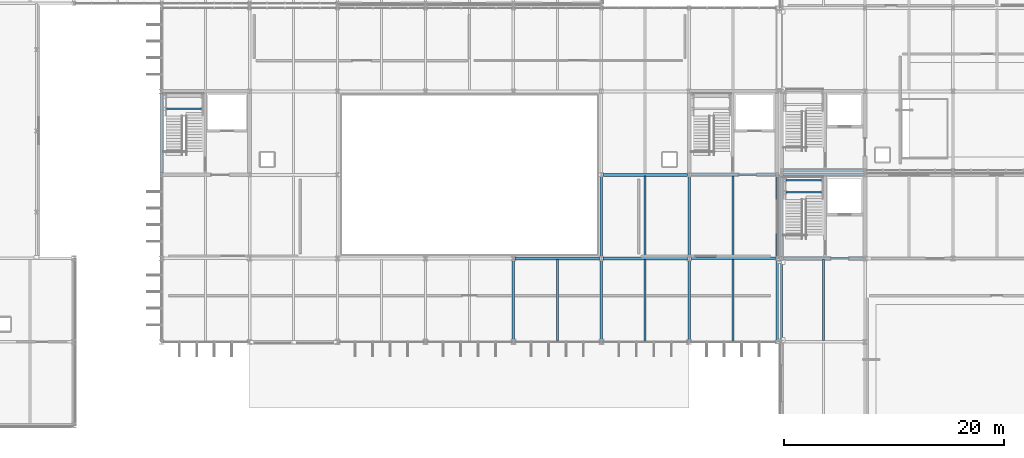
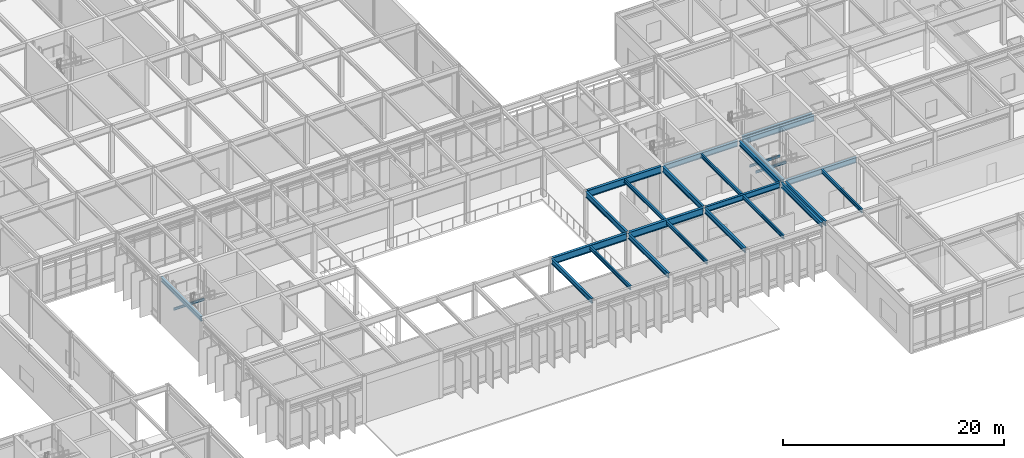
# One storey, part 40 of 94: 27 beams.
"""IFC4 building model written with IfcOpenShell, lengths in metres."""

import ifcopenshell
import ifcopenshell.guid

model = None  # the IFC model being written
_history = None  # IfcOwnerHistory: only IFC2X3 demands one
_inside = {}  # id of a spatial element -> (the spatial element, [elements in it])
_under = {}  # id of a project, library or spatial element -> (it, [spatial elements below it])
_declared = {}  # id of a project -> (the project, [libraries it declares])
_typed = {}  # id of a type object -> (the type object, [elements of that type])
_made_of = {}  # id of a material, layer set ... -> (it, [elements and type objects made of it])


def new_model(schema):
    """Start an empty IFC model of exactly this schema.

    Asked for "IFC4X3", IfcOpenShell would pick the latest addendum, in which some entities
    have other attributes; the version numbers below select the first issue.
    IFC2X3 requires an IfcOwnerHistory on every rooted entity: one is made here for all.
    """
    global model, _history
    if schema == "IFC4X3":
        model = ifcopenshell.file(schema_version=(4, 3, 0, 0))
    else:
        model = ifcopenshell.file(schema=schema)
    _inside.clear()
    _under.clear()
    _declared.clear()
    _typed.clear()
    _made_of.clear()
    _history = None
    if model.schema == "IFC2X3":
        org = make("IfcOrganization", Name="unknown")
        user = make(
            "IfcPersonAndOrganization",
            ThePerson=make("IfcPerson", FamilyName="unknown"),
            TheOrganization=org,
        )
        app = make(
            "IfcApplication",
            ApplicationDeveloper=org,
            Version="unknown",
            ApplicationFullName="unknown",
            ApplicationIdentifier="unknown",
        )
        _history = make(
            "IfcOwnerHistory",
            OwningUser=user,
            OwningApplication=app,
            ChangeAction="ADDED",
            CreationDate=0,
        )
    return model


def make(cls, **values):
    """One entity of the class cls with the attributes given. An attribute that is None is left unset."""
    return model.create_entity(
        cls, **{name: value for name, value in values.items() if value is not None}
    )


def rooted(cls, **values):
    """An entity with a GlobalId (a new one), such as an element, a storey or a relation."""
    return make(cls, GlobalId=ifcopenshell.guid.new(), OwnerHistory=_history, **values)


def si_unit(unit_type, name, prefix=None):
    """IfcSIUnit, for example si_unit("LENGTHUNIT", "METRE", prefix="MILLI")."""
    return make("IfcSIUnit", UnitType=unit_type, Prefix=prefix, Name=name)


def assignment(units):
    """IfcUnitAssignment: the units of a project."""
    return None if units is None else make("IfcUnitAssignment", Units=units)


def point(xyz):
    """IfcCartesianPoint."""
    return None if xyz is None else make("IfcCartesianPoint", Coordinates=xyz)


def direction(xyz):
    """IfcDirection."""
    return None if xyz is None else make("IfcDirection", DirectionRatios=xyz)


def frame(location, z_axis=None, x_axis=None):
    """IfcAxis2Placement3D, a coordinate frame: its origin and axes. An axis left out is left unset."""
    return make(
        "IfcAxis2Placement3D",
        Location=point(location),
        Axis=direction(z_axis),
        RefDirection=direction(x_axis),
    )


def frame_2d(location, x_axis=None):
    """IfcAxis2Placement2D, a coordinate frame in the plane: its origin and x axis."""
    return make(
        "IfcAxis2Placement2D", Location=point(location), RefDirection=direction(x_axis)
    )


def origin():
    """The frame at (0, 0, 0) with its axes left unset."""
    return frame((0.0, 0.0, 0.0))


def origin_2d():
    """The frame at (0, 0) in the plane with its x axis left unset."""
    return frame_2d((0.0, 0.0))


def place(relative_to, where):
    """IfcLocalPlacement: puts the frame where relative to a parent placement (None: the world)."""
    return make(
        "IfcLocalPlacement", PlacementRelTo=relative_to, RelativePlacement=where
    )


def context(
    kind, dimensions, precision=None, world=None, true_north=None, identifier=None
):
    """IfcGeometricRepresentationContext, for example the 3D "Model" context."""
    return make(
        "IfcGeometricRepresentationContext",
        ContextIdentifier=identifier,
        ContextType=kind,
        CoordinateSpaceDimension=dimensions,
        Precision=precision,
        WorldCoordinateSystem=world,
        TrueNorth=true_north,
    )


def subcontext(parent, identifier, kind, view, scale=None):
    """IfcGeometricRepresentationSubContext, for example "Body" below "Model"."""
    return make(
        "IfcGeometricRepresentationSubContext",
        ContextIdentifier=identifier,
        ContextType=kind,
        ParentContext=parent,
        TargetScale=scale,
        TargetView=view,
    )


def project(units=None, contexts=None):
    """IfcProject with its units and contexts."""
    return rooted(
        "IfcProject",
        Name="project",
        RepresentationContexts=contexts,
        UnitsInContext=assignment(units),
    )


def spatial(cls, under=None, at=None, **own):
    """A site, building, storey or space (cls), placed at a placement, below another one or the project."""
    s = rooted(cls, ObjectPlacement=at, **own)
    if under is not None:
        _under.setdefault(under.id(), (under, []))[1].append(s)
    return s


def profile(cls, at=None, kind="AREA", **sizes):
    """A parametric profile (cls). Its sizes go by their IFC names, for example OverallWidth=200.0."""
    return make(cls, ProfileType=kind, Position=at, **sizes)


def i_section(**sizes):
    """IfcIShapeProfileDef."""
    return profile("IfcIShapeProfileDef", **sizes)


def extrude(swept, where, along, depth):
    """IfcExtrudedAreaSolid: the profile swept, set in the frame where, extruded along a direction by depth."""
    return make(
        "IfcExtrudedAreaSolid",
        SweptArea=swept,
        Position=where,
        ExtrudedDirection=direction(along),
        Depth=depth,
    )


def shape(context_of_items, identifier, shape_type, items):
    """IfcShapeRepresentation: the items that make up one representation, for example the "Body"."""
    return make(
        "IfcShapeRepresentation",
        ContextOfItems=context_of_items,
        RepresentationIdentifier=identifier,
        RepresentationType=shape_type,
        Items=items,
    )


def material(Name=None, Category=None):
    """IfcMaterial."""
    return make("IfcMaterial", Name=Name, Category=Category)


def material_profile(
    of_material, cross_section, Name=None, Category=None, Priority=None
):
    """IfcMaterialProfile: a cross section and its material."""
    return make(
        "IfcMaterialProfile",
        Name=Name,
        Material=of_material,
        Profile=cross_section,
        Priority=Priority,
        Category=Category,
    )


def profile_set(profiles, Name=None, composite=None):
    """IfcMaterialProfileSet."""
    return make(
        "IfcMaterialProfileSet",
        Name=Name,
        MaterialProfiles=profiles,
        CompositeProfile=composite,
    )


def made_of(thing, what):
    """Note that an element or type object is made of a material, layer set ...; save() writes the relation."""
    if what is not None:
        _made_of.setdefault(what.id(), (what, []))[1].append(thing)
    return thing


def type_object(cls, material=None, **own):
    """A type object (cls), such as IfcWallType, which elements share."""
    return made_of(rooted(cls, **own), material)


def element(
    cls,
    number,
    at=None,
    inside=None,
    cuts=None,
    type_object=None,
    material=None,
    context=None,
    identifier="Body",
    shape_type=None,
    held_by="IfcProductDefinitionShape",
    body=None,
    shapes=None,
    **own,
):
    """One element of the class cls, such as IfcWall. Its Tag is "e" and its number.

    at: its placement. inside: the storey or other place that contains it. cuts: it is an
    opening in that element (IfcRelVoidsElement). A single representation is given by context,
    identifier, shape_type and body (its items); several are given by shapes. held_by: the class
    of the entity that holds the representations. save() writes the other relations.
    """
    e = rooted(cls, Tag="e%d" % number, ObjectPlacement=at, **own)
    if body is not None:
        shapes = [shape(context, identifier, shape_type, body)]
    if shapes is not None:
        e.Representation = make(held_by, Representations=shapes)
    if inside is not None:
        _inside.setdefault(inside.id(), (inside, []))[1].append(e)
    if cuts is not None:
        rooted(
            "IfcRelVoidsElement", RelatingBuildingElement=cuts, RelatedOpeningElement=e
        )
    if type_object is not None:
        _typed.setdefault(type_object.id(), (type_object, []))[1].append(e)
    return made_of(e, material)


def aggregate(whole, parts):
    """IfcRelAggregates: a whole, such as a stair, and the parts it consists of."""
    return rooted("IfcRelAggregates", RelatingObject=whole, RelatedObjects=parts)


def save(model, path):
    """Write the relations noted so far, then the file.

    IfcRelAggregates (storeys below a building ...), IfcRelContainedInSpatialStructure (elements
    in a storey), IfcRelDefinesByType, IfcRelAssociatesMaterial and IfcRelDeclares: one each for
    every whole, place, type object, material and project.
    """
    for whole, parts in _under.values():
        aggregate(whole, parts)
    for where, things in _inside.values():
        rooted(
            "IfcRelContainedInSpatialStructure",
            RelatedElements=things,
            RelatingStructure=where,
        )
    for kind, things in _typed.values():
        rooted("IfcRelDefinesByType", RelatedObjects=things, RelatingType=kind)
    for what, things in _made_of.values():
        rooted("IfcRelAssociatesMaterial", RelatedObjects=things, RelatingMaterial=what)
    for by, libraries in _declared.values():
        rooted("IfcRelDeclares", RelatingContext=by, RelatedDefinitions=libraries)
    model.write(path)


model = new_model("IFC4")

# Units and contexts
model_context = context("Model", 3, precision=1e-05, world=origin(), true_north=direction((0.0, 1.0)))
body_context = subcontext(model_context, "Body", "Model", "MODEL_VIEW")
ifc_project = project(units=[si_unit("LENGTHUNIT", "METRE"), si_unit("AREAUNIT", "SQUARE_METRE"), si_unit("VOLUMEUNIT", "CUBIC_METRE"), si_unit("PLANEANGLEUNIT", "RADIAN"), si_unit("MASSUNIT", "GRAM", prefix="KILO")], contexts=[model_context])

# Site, building, storey
site_placement = place(None, origin())
site = spatial("IfcSite", under=ifc_project, at=site_placement, CompositionType="ELEMENT")
building_placement = place(site_placement, origin())
building = spatial("IfcBuilding", under=site, at=building_placement, Name="Zulena Civic Courthouse", CompositionType="ELEMENT")
storey_placement = place(building_placement, frame((0.0, 0.0, 5.39990234375)))
storey = spatial("IfcBuildingStorey", under=building, at=storey_placement, Name="L01", CompositionType="ELEMENT", Elevation=5.39990234375)

# Beams
ifc_material = material(Name="Steel ASTM A992 Grade 50", Category="steel")
ifc_material_profile_1 = material_profile(ifc_material, i_section(OverallWidth=0.22802734375, OverallDepth=0.60693359375, WebThickness=0.01123046875, FlangeThickness=0.017333984375, FilletRadius=0.0126953125, at=origin_2d()), Name="W24X76")
ifc_profile_set_1 = profile_set([ifc_material_profile_1], Name="Steel ASTM A992 Grade 50")
beam_type_1 = type_object("IfcBeamType", Name="Girder_W24X76", PredefinedType="BEAM", material=ifc_profile_set_1)
for number, where, z_axis, x_axis, name in (
    (1, (108.0, 22.945068359375, 4.881591796875), (0.0, 1.0, 0.0), (-1.0, 0.0, 0.0), "beam:Y:V4:L01:108.0:22.8_30.4"),
    (2, (116.0, 22.945068359375, 4.881591796875), (0.0, 1.0, 0.0), (-1.0, 0.0, 0.0), "beam:Y:V4:L01:116.0:22.8_30.4"),
):
    element("IfcBeam", number, at=place(storey_placement, frame(where, z_axis=z_axis, x_axis=x_axis)), inside=storey, type_object=beam_type_1, Name=name, PredefinedType="BEAM", context=body_context, shape_type="SweptSolid", body=[
        extrude(i_section(OverallWidth=0.22802734375, OverallDepth=0.60693359375, WebThickness=0.01123046875, FlangeThickness=0.017333984375, FilletRadius=0.0126953125, at=origin_2d()), origin(), (0.0, 0.0, 1.0), 7.309814453125),
    ])
ifc_material_profile_2 = material_profile(ifc_material, i_section(OverallWidth=0.26708984375, OverallDepth=0.761962890625, WebThickness=0.014404296875, FlangeThickness=0.021484375, FilletRadius=0.0166015625, at=origin_2d()), Name="W30X116")
ifc_profile_set_2 = profile_set([ifc_material_profile_2], Name="Steel ASTM A992 Grade 50")
beam_type_2 = type_object("IfcBeamType", Name="Girder_W30X116", PredefinedType="BEAM", material=ifc_profile_set_2)
for number, where, z_axis, x_axis, name in (
    (3, (100.14501953125, 22.800048828125, 4.80419921875), (1.0, 0.0, 0.0), (0.0, 1.0, 0.0), "beam:X:V4:L01:22.8:100.0_108.0"),
    (4, (108.14501953125, 22.800048828125, 4.80419921875), (1.0, 0.0, 0.0), (0.0, 1.0, 0.0), "beam:X:V4:L01:22.8:108.0_116.0"),
    (5, (108.14501953125, 30.39990234375, 4.80419921875), (1.0, 0.0, 0.0), (0.0, 1.0, 0.0), "beam:X:V4:L01:30.4:108.0_116.0"),
):
    element("IfcBeam", number, at=place(storey_placement, frame(where, z_axis=z_axis, x_axis=x_axis)), inside=storey, type_object=beam_type_2, Name=name, PredefinedType="BEAM", context=body_context, shape_type="SweptSolid", body=[
        extrude(i_section(OverallWidth=0.26708984375, OverallDepth=0.761962890625, WebThickness=0.014404296875, FlangeThickness=0.021484375, FilletRadius=0.0166015625, at=origin_2d()), origin(), (0.0, 0.0, 1.0), 7.7099609375),
    ])
ifc_material_profile_3 = material_profile(ifc_material, i_section(OverallWidth=0.14599609375, OverallDepth=0.258056640625, WebThickness=0.006103515625, FlangeThickness=0.009033203125, FilletRadius=0.007568359375, at=origin_2d()), Name="W10X22")
ifc_profile_set_3 = profile_set([ifc_material_profile_3], Name="Steel ASTM A992 Grade 50")
beam_type_3 = type_object("IfcBeamType", Name="Joist_W10X22", PredefinedType="JOIST", material=ifc_profile_set_3)
for number, where, z_axis, x_axis, name in (
    (6, (124.820068359375, 28.800048828125, 2.291015625), (1.0, 0.0, 0.0), (0.0, 1.0, 0.0), "beam:lnd:K1A:L01:0"),
    (7, (124.820068359375, 29.89990234375, 2.291015625), (1.0, 0.0, 0.0), (0.0, 1.0, 0.0), "beam:lnd:K1A:L01:1"),
):
    element("IfcBeam", number, at=place(storey_placement, frame(where, z_axis=z_axis, x_axis=x_axis)), inside=storey, type_object=beam_type_3, Name=name, PredefinedType="JOIST", context=body_context, shape_type="SweptSolid", body=[
        extrude(i_section(OverallWidth=0.14599609375, OverallDepth=0.258056640625, WebThickness=0.006103515625, FlangeThickness=0.009033203125, FilletRadius=0.007568359375, at=origin_2d()), origin(), (0.0, 0.0, 1.0), 3.199951171875),
    ])
beam_1_placement = place(storey_placement, frame((68.419921875, 36.39990234375, 2.291015625), z_axis=(1.0, 0.0, 0.0), x_axis=(0.0, 1.0, 0.0)))
element("IfcBeam", 8, at=beam_1_placement, inside=storey, type_object=beam_type_3, Name="beam:lnd:K4A:L01:0", PredefinedType="JOIST", context=body_context, shape_type="SweptSolid", body=[
    extrude(i_section(OverallWidth=0.14599609375, OverallDepth=0.258056640625, WebThickness=0.006103515625, FlangeThickness=0.009033203125, FilletRadius=0.007568359375, at=origin_2d()), origin(), (0.0, 0.0, 1.0), 3.2001953125),
])
ifc_material_profile_4 = material_profile(ifc_material, i_section(OverallWidth=0.180908203125, OverallDepth=0.4169921875, WebThickness=0.010986328125, FlangeThickness=0.018310546875, FilletRadius=0.01025390625, at=origin_2d()), Name="W16X57")
ifc_profile_set_4 = profile_set([ifc_material_profile_4], Name="Steel ASTM A992 Grade 50")
beam_type_4 = type_object("IfcBeamType", Name="Joist_W16X57", PredefinedType="JOIST", material=ifc_profile_set_4)
for number, where, z_axis, x_axis, name in (
    (9, (128.199951171875, 15.304931640625, 4.9765625), (0.0, 1.0, 0.0), (-1.0, 0.0, 0.0), "joist:V1:L01:128.20:15.2_22.8"),
    (10, (104.0, 15.304931640625, 4.9765625), (0.0, 1.0, 0.0), (-1.0, 0.0, 0.0), "joist:V4:L01:104.00:15.2_22.8"),
    (11, (112.0, 15.304931640625, 4.9765625), (0.0, 1.0, 0.0), (-1.0, 0.0, 0.0), "joist:V4:L01:112.00:15.2_22.8"),
):
    element("IfcBeam", number, at=place(storey_placement, frame(where, z_axis=z_axis, x_axis=x_axis)), inside=storey, type_object=beam_type_4, Name=name, PredefinedType="JOIST", context=body_context, shape_type="SweptSolid", body=[
        extrude(i_section(OverallWidth=0.180908203125, OverallDepth=0.4169921875, WebThickness=0.010986328125, FlangeThickness=0.018310546875, FilletRadius=0.01025390625, at=origin_2d()), origin(), (0.0, 0.0, 1.0), 7.39013671875),
    ])
beam_2_placement = place(storey_placement, frame((112.0, 22.905029296875, 4.9765625), z_axis=(0.0, 1.0, 0.0), x_axis=(-1.0, 0.0, 0.0)))
element("IfcBeam", 12, at=beam_2_placement, inside=storey, type_object=beam_type_4, Name="joist:V4:L01:112.00:22.8_30.4", PredefinedType="JOIST", context=body_context, shape_type="SweptSolid", body=[
    extrude(i_section(OverallWidth=0.180908203125, OverallDepth=0.4169921875, WebThickness=0.010986328125, FlangeThickness=0.018310546875, FilletRadius=0.01025390625, at=origin_2d()), origin(), (0.0, 0.0, 1.0), 7.389892578125),
])
beam_3_placement = place(storey_placement, frame((120.0, 15.304931640625, 4.9765625), z_axis=(0.0, 1.0, 0.0), x_axis=(-1.0, 0.0, 0.0)))
element("IfcBeam", 13, at=beam_3_placement, inside=storey, type_object=beam_type_4, Name="joist:V4:L01:120.00:15.2_22.8", PredefinedType="JOIST", context=body_context, shape_type="SweptSolid", body=[
    extrude(i_section(OverallWidth=0.180908203125, OverallDepth=0.4169921875, WebThickness=0.010986328125, FlangeThickness=0.018310546875, FilletRadius=0.01025390625, at=origin_2d()), origin(), (0.0, 0.0, 1.0), 7.39013671875),
])
beam_4_placement = place(storey_placement, frame((120.0, 22.905029296875, 4.9765625), z_axis=(0.0, 1.0, 0.0), x_axis=(-1.0, 0.0, 0.0)))
element("IfcBeam", 14, at=beam_4_placement, inside=storey, type_object=beam_type_4, Name="joist:V4:L01:120.00:22.8_30.4", PredefinedType="JOIST", context=body_context, shape_type="SweptSolid", body=[
    extrude(i_section(OverallWidth=0.180908203125, OverallDepth=0.4169921875, WebThickness=0.010986328125, FlangeThickness=0.018310546875, FilletRadius=0.01025390625, at=origin_2d()), origin(), (0.0, 0.0, 1.0), 7.389892578125),
])
ifc_material_profile_5 = material_profile(ifc_material, i_section(OverallWidth=0.2099609375, OverallDepth=0.537109375, WebThickness=0.010986328125, FlangeThickness=0.017333984375, FilletRadius=0.0126953125, at=origin_2d()), Name="W21X68")
ifc_profile_set_5 = profile_set([ifc_material_profile_5], Name="Steel ASTM A992 Grade 50")
beam_type_5 = type_object("IfcBeamType", Name="Spandrel_W21X68", PredefinedType="SPANDREL", material=ifc_profile_set_5)
beam_5_placement = place(storey_placement, frame((124.39990234375, 15.344970703125, 4.91650390625), z_axis=(0.0, 1.0, 0.0), x_axis=(-1.0, 0.0, 0.0)))
element("IfcBeam", 15, at=beam_5_placement, inside=storey, type_object=beam_type_5, Name="beam:Y:V1:L01:124.4:15.2_22.8", PredefinedType="SPANDREL", context=body_context, shape_type="SweptSolid", body=[
    extrude(i_section(OverallWidth=0.2099609375, OverallDepth=0.537109375, WebThickness=0.010986328125, FlangeThickness=0.017333984375, FilletRadius=0.0126953125, at=origin_2d()), origin(), (0.0, 0.0, 1.0), 7.31005859375),
])
beam_6_placement = place(storey_placement, frame((124.39990234375, 22.945068359375, 4.91650390625), z_axis=(0.0, 1.0, 0.0), x_axis=(-1.0, 0.0, 0.0)))
element("IfcBeam", 16, at=beam_6_placement, inside=storey, type_object=beam_type_5, Name="beam:Y:V1:L01:124.4:22.8_30.4", PredefinedType="SPANDREL", context=body_context, shape_type="SweptSolid", body=[
    extrude(i_section(OverallWidth=0.2099609375, OverallDepth=0.537109375, WebThickness=0.010986328125, FlangeThickness=0.017333984375, FilletRadius=0.0126953125, at=origin_2d()), origin(), (0.0, 0.0, 1.0), 7.309814453125),
])
for number, where, z_axis, x_axis, name in (
    (17, (68.0, 30.544921875, 4.91650390625), (0.0, 1.0, 0.0), (-1.0, 0.0, 0.0), "beam:Y:V4:L01:68.0:30.4_38.0"),
    (18, (100.0, 15.344970703125, 4.91650390625), (0.0, 1.0, 0.0), (-1.0, 0.0, 0.0), "beam:Y:V4:L01:100.0:15.2_22.8"),
    (19, (108.0, 15.344970703125, 4.91650390625), (0.0, 1.0, 0.0), (-1.0, 0.0, 0.0), "beam:Y:V4:L01:108.0:15.2_22.8"),
    (20, (116.0, 15.344970703125, 4.91650390625), (0.0, 1.0, 0.0), (-1.0, 0.0, 0.0), "beam:Y:V4:L01:116.0:15.2_22.8"),
    (21, (124.0, 15.344970703125, 4.91650390625), (0.0, 1.0, 0.0), (-1.0, 0.0, 0.0), "beam:Y:V4:L01:124.0:15.2_22.8"),
):
    element("IfcBeam", number, at=place(storey_placement, frame(where, z_axis=z_axis, x_axis=x_axis)), inside=storey, type_object=beam_type_5, Name=name, PredefinedType="SPANDREL", context=body_context, shape_type="SweptSolid", body=[
        extrude(i_section(OverallWidth=0.2099609375, OverallDepth=0.537109375, WebThickness=0.010986328125, FlangeThickness=0.017333984375, FilletRadius=0.0126953125, at=origin_2d()), origin(), (0.0, 0.0, 1.0), 7.31005859375),
    ])
beam_7_placement = place(storey_placement, frame((124.0, 22.945068359375, 4.91650390625), z_axis=(0.0, 1.0, 0.0), x_axis=(-1.0, 0.0, 0.0)))
element("IfcBeam", 22, at=beam_7_placement, inside=storey, type_object=beam_type_5, Name="beam:Y:V4:L01:124.0:22.8_30.4", PredefinedType="SPANDREL", context=body_context, shape_type="SweptSolid", body=[
    extrude(i_section(OverallWidth=0.2099609375, OverallDepth=0.537109375, WebThickness=0.010986328125, FlangeThickness=0.017333984375, FilletRadius=0.0126953125, at=origin_2d()), origin(), (0.0, 0.0, 1.0), 7.309814453125),
])
ifc_material_profile_6 = material_profile(ifc_material, i_section(OverallWidth=0.22998046875, OverallDepth=0.616943359375, WebThickness=0.01318359375, FlangeThickness=0.022216796875, FilletRadius=0.0126953125, at=origin_2d()), Name="W24X94")
ifc_profile_set_6 = profile_set([ifc_material_profile_6], Name="Steel ASTM A992 Grade 50")
beam_type_6 = type_object("IfcBeamType", Name="Spandrel_W24X94", PredefinedType="SPANDREL", material=ifc_profile_set_6)
for number, where, z_axis, x_axis, name in (
    (23, (124.544921875, 22.800048828125, 4.876708984375), (1.0, 0.0, 0.0), (0.0, 1.0, 0.0), "beam:X:V1:L01:22.8:124.4_132.0"),
    (24, (124.544921875, 30.39990234375, 4.876708984375), (1.0, 0.0, 0.0), (0.0, 1.0, 0.0), "beam:X:V1:L01:30.4:124.4_132.0"),
    (25, (124.544921875, 30.800048828125, 4.876708984375), (1.0, 0.0, 0.0), (0.0, 1.0, 0.0), "beam:X:V3:L01:30.8:124.4_132.0"),
):
    element("IfcBeam", number, at=place(storey_placement, frame(where, z_axis=z_axis, x_axis=x_axis)), inside=storey, type_object=beam_type_6, Name=name, PredefinedType="SPANDREL", context=body_context, shape_type="SweptSolid", body=[
        extrude(i_section(OverallWidth=0.22998046875, OverallDepth=0.616943359375, WebThickness=0.01318359375, FlangeThickness=0.022216796875, FilletRadius=0.0126953125, at=origin_2d()), origin(), (0.0, 0.0, 1.0), 7.31005859375),
    ])
for number, where, z_axis, x_axis, name in (
    (26, (116.14501953125, 22.800048828125, 4.876708984375), (1.0, 0.0, 0.0), (0.0, 1.0, 0.0), "beam:X:V4:L01:22.8:116.0_124.0"),
    (27, (116.14501953125, 30.39990234375, 4.876708984375), (1.0, 0.0, 0.0), (0.0, 1.0, 0.0), "beam:X:V4:L01:30.4:116.0_124.0"),
):
    element("IfcBeam", number, at=place(storey_placement, frame(where, z_axis=z_axis, x_axis=x_axis)), inside=storey, type_object=beam_type_6, Name=name, PredefinedType="SPANDREL", context=body_context, shape_type="SweptSolid", body=[
        extrude(i_section(OverallWidth=0.22998046875, OverallDepth=0.616943359375, WebThickness=0.01318359375, FlangeThickness=0.022216796875, FilletRadius=0.0126953125, at=origin_2d()), origin(), (0.0, 0.0, 1.0), 7.7099609375),
    ])

save(model, "model.ifc")
